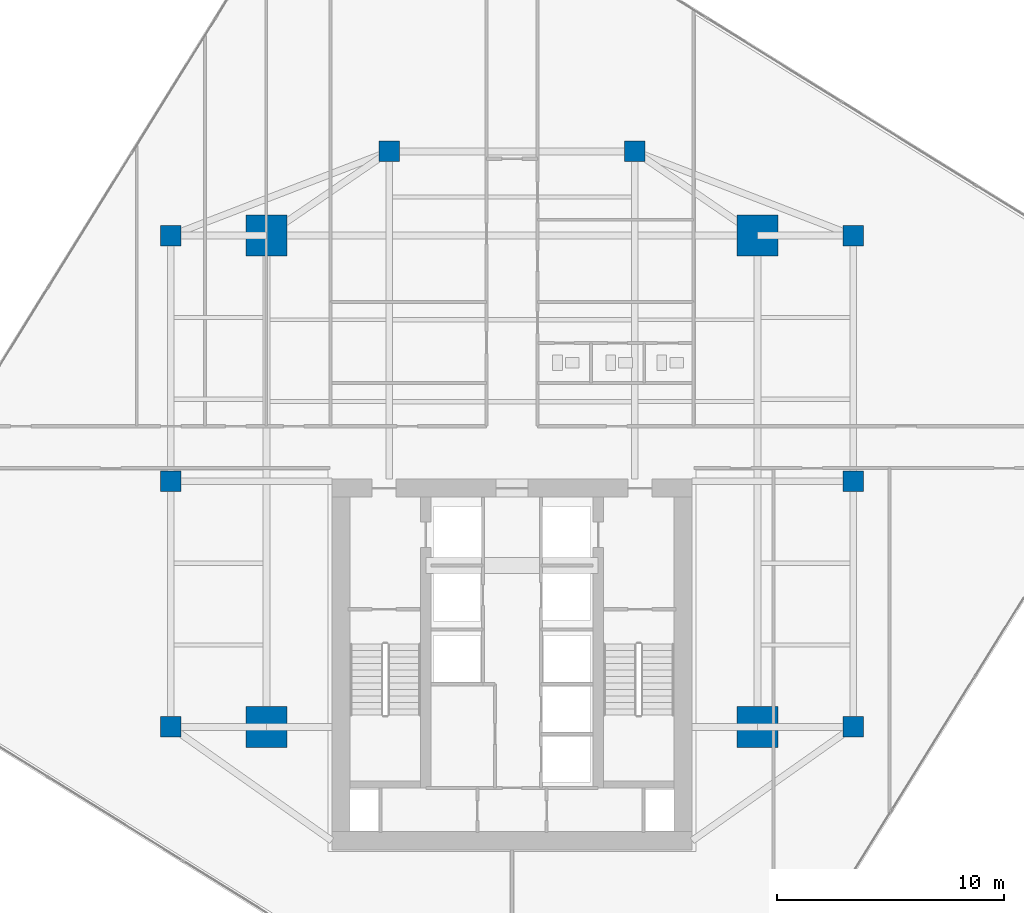
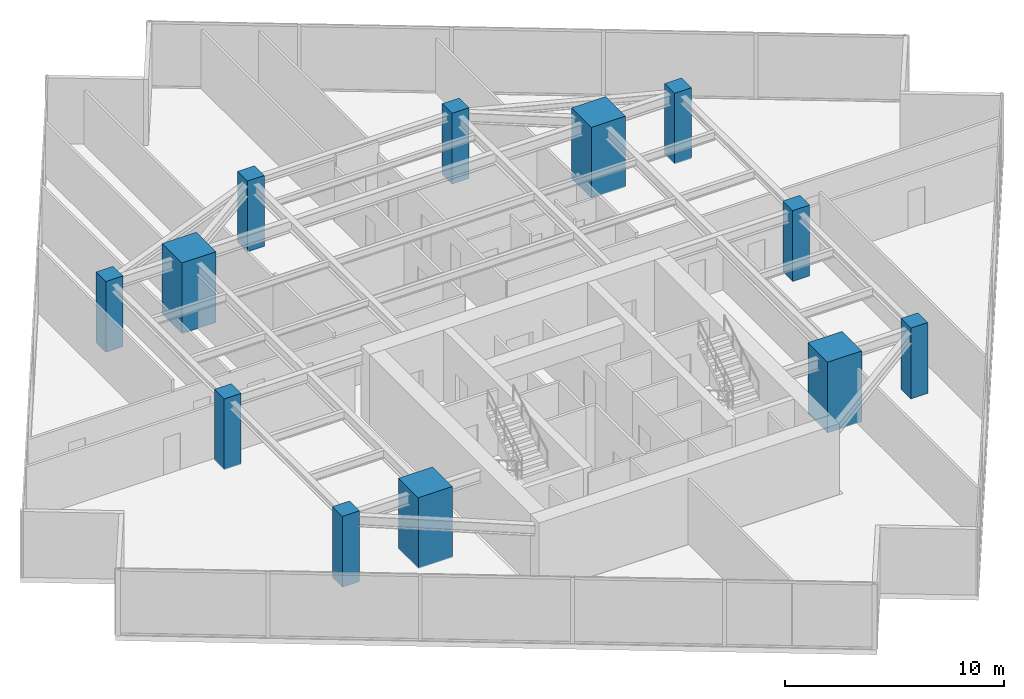
# One storey, part 1 of 26: 12 columns.
"""IFC4 building model written with IfcOpenShell, lengths in metres."""

from ifc_helpers import new_model, si_unit, direction, frame, origin, origin_2d, place, context, subcontext, project, spatial, rectangle, extrude, source, transform, mapped, material, material_profile, profile_set, type_object, type_shapes, element, save


model = new_model("IFC4")

# Units and contexts
model_context = context("Model", 3, precision=1e-05, world=origin(), true_north=direction((0.0, 1.0)))
body_context = subcontext(model_context, "Body", "Model", "MODEL_VIEW")
ifc_project = project(units=[si_unit("LENGTHUNIT", "METRE"), si_unit("AREAUNIT", "SQUARE_METRE"), si_unit("VOLUMEUNIT", "CUBIC_METRE"), si_unit("PLANEANGLEUNIT", "RADIAN"), si_unit("MASSUNIT", "GRAM", prefix="KILO")], contexts=[model_context])

# Site, building, storey
site_placement = place(None, origin())
site = spatial("IfcSite", under=ifc_project, at=site_placement, CompositionType="ELEMENT")
building_placement = place(site_placement, origin())
building = spatial("IfcBuilding", under=site, at=building_placement, Name="Krantzveldt Concourse Tower", CompositionType="ELEMENT")
storey_placement = place(building_placement, frame((0.0, 0.0, 173.85009765625)))
storey = spatial("IfcBuildingStorey", under=building, at=storey_placement, Name="L42", CompositionType="ELEMENT", Elevation=173.85009765625)

# Columns
ifc_material = material(Name="Concrete C50/60", Category="concrete")
ifc_material_profile_1 = material_profile(ifc_material, rectangle(XDim=1.800048828125, YDim=1.800048828125, at=origin_2d()), Name="Concrete C50/60", Category="concrete")
ifc_profile_set_1 = profile_set([ifc_material_profile_1], Name="Concrete C50/60 - RC 1800x1800")
column_type_1 = type_object("IfcColumnType", Name="COL-MC-1800", PredefinedType="USERDEFINED", material=ifc_profile_set_1)
shared_shape_1 = source(origin(), body_context, "Body", "SweptSolid", [
    extrude(rectangle(XDim=1.800048828125, YDim=1.800048828125, at=origin_2d()), origin(), (0.0, 0.0, 1.0), 3.949951171875),
])
type_shapes(column_type_1, [shared_shape_1])
for number, where, z_axis, x_axis, name in (
    (1, (25.199951171875, 15.89990234375, 0.0), (0.0, 0.0, 1.0), (1.0, 0.0, 0.0), "MC-SW-L42"),
    (2, (46.800048828125, 15.89990234375, 0.0), (0.0, 0.0, 1.0), (1.0, 0.0, 0.0), "MC-SE-L42"),
    (3, (46.800048828125, 37.5, 0.0), (0.0, 0.0, 1.0), (1.0, 0.0, 0.0), "MC-NE-L42"),
    (4, (25.199951171875, 37.5, 0.0), (0.0, 0.0, 1.0), (1.0, 0.0, 0.0), "MC-NW-L42"),
):
    element("IfcColumn", number, at=place(storey_placement, frame(where, z_axis=z_axis, x_axis=x_axis)), inside=storey, type_object=column_type_1, Name=name, ObjectType="MEGA COLUMN", PredefinedType="USERDEFINED", context=body_context, shape_type="MappedRepresentation", body=[
        mapped(shared_shape_1, transform((0.0, 0.0, 0.0), x_axis=(1.0, 0.0, 0.0), y_axis=(0.0, 1.0, 0.0), z_axis=(0.0, 0.0, 1.0), scale=1.0)),
    ])
ifc_material_profile_2 = material_profile(ifc_material, rectangle(XDim=0.89990234375, YDim=0.89990234375, at=origin_2d()), Name="Concrete C50/60", Category="concrete")
ifc_profile_set_2 = profile_set([ifc_material_profile_2], Name="Concrete C50/60 - RC 900x900")
column_type_2 = type_object("IfcColumnType", Name="COL-C-Z3", PredefinedType="COLUMN", material=ifc_profile_set_2)
shared_shape_2 = source(origin(), body_context, "Body", "SweptSolid", [
    extrude(rectangle(XDim=0.89990234375, YDim=0.89990234375, at=origin_2d()), origin(), (0.0, 0.0, 1.0), 3.949951171875),
])
type_shapes(column_type_2, [shared_shape_2])
for number, where, z_axis, x_axis, name in (
    (5, (21.0, 15.89990234375, 0.0), (0.0, 0.0, 1.0), (1.0, 0.0, 0.0), "PC-R01-L42"),
    (6, (21.0, 26.699951171875, 0.0), (0.0, 0.0, 1.0), (1.0, 0.0, 0.0), "PC-R02-L42"),
    (7, (21.0, 37.5, 0.0), (0.0, 0.0, 1.0), (1.0, 0.0, 0.0), "PC-R03-L42"),
    (8, (30.60009765625, 41.199951171875, 0.0), (0.0, 0.0, 1.0), (1.0, 0.0, 0.0), "PC-R04-L42"),
    (9, (41.39990234375, 41.199951171875, 0.0), (0.0, 0.0, 1.0), (1.0, 0.0, 0.0), "PC-R05-L42"),
    (10, (51.0, 37.5, 0.0), (0.0, 0.0, 1.0), (1.0, 0.0, 0.0), "PC-R06-L42"),
    (11, (51.0, 26.699951171875, 0.0), (0.0, 0.0, 1.0), (1.0, 0.0, 0.0), "PC-R07-L42"),
    (12, (51.0, 15.89990234375, 0.0), (0.0, 0.0, 1.0), (1.0, 0.0, 0.0), "PC-R08-L42"),
):
    element("IfcColumn", number, at=place(storey_placement, frame(where, z_axis=z_axis, x_axis=x_axis)), inside=storey, type_object=column_type_2, Name=name, PredefinedType="COLUMN", context=body_context, shape_type="MappedRepresentation", body=[
        mapped(shared_shape_2, transform((0.0, 0.0, 0.0), x_axis=(1.0, 0.0, 0.0), y_axis=(0.0, 1.0, 0.0), z_axis=(0.0, 0.0, 1.0), scale=1.0)),
    ])

save(model, "model.ifc")
